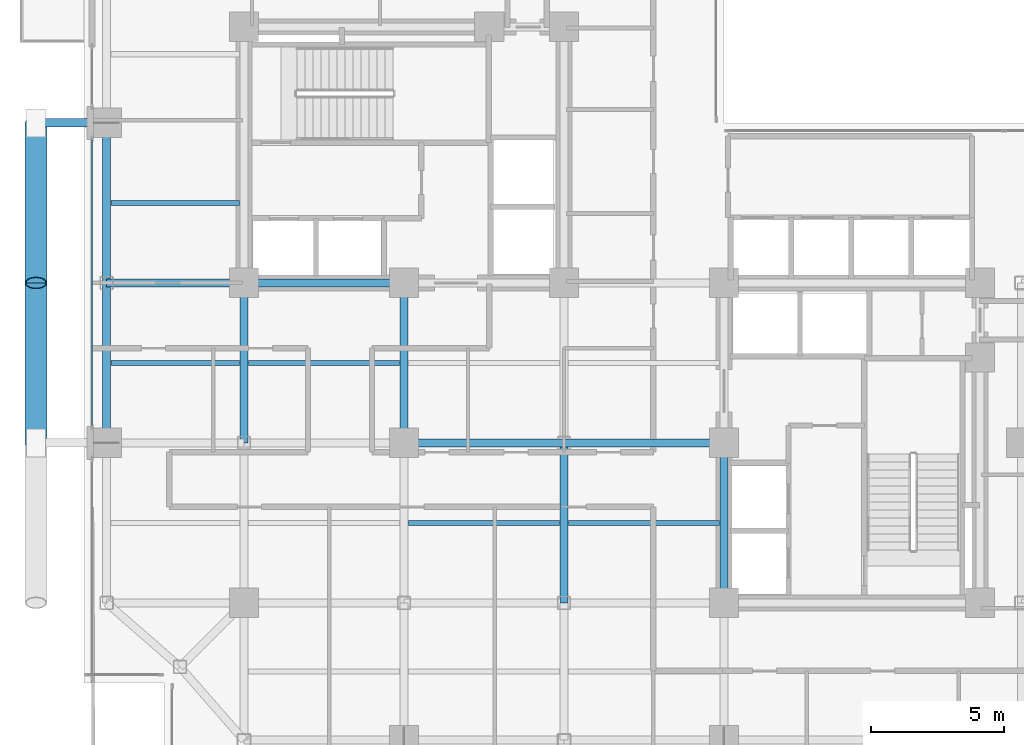
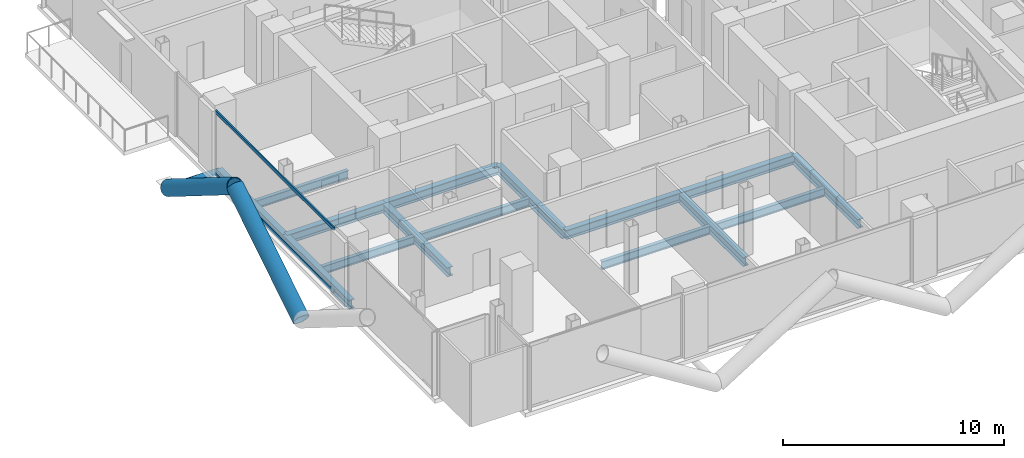
# One storey, part 6 of 28: 15 beams, 5 members, 1 element without a shape of its own.
"""IFC4 building model written with IfcOpenShell, lengths in metres."""

from ifc_helpers import new_model, si_unit, direction, frame, origin, origin_2d, place, context, subcontext, project, spatial, hollow_rectangle, hollow_circle, i_section, extrude, material, layer, layer_set, material_profile, profile_set, type_object, element, aggregate, save


model = new_model("IFC4")

# Units and contexts
model_context = context("Model", 3, precision=1e-05, world=origin(), true_north=direction((0.0, 1.0)))
body_context = subcontext(model_context, "Body", "Model", "MODEL_VIEW")
ifc_project = project(units=[si_unit("LENGTHUNIT", "METRE"), si_unit("AREAUNIT", "SQUARE_METRE"), si_unit("VOLUMEUNIT", "CUBIC_METRE"), si_unit("PLANEANGLEUNIT", "RADIAN"), si_unit("MASSUNIT", "GRAM", prefix="KILO"), si_unit("THERMODYNAMICTEMPERATUREUNIT", "KELVIN"), si_unit("POWERUNIT", "WATT")], contexts=[model_context])

# Site, building, storey
site_placement = place(None, origin())
site = spatial("IfcSite", under=ifc_project, at=site_placement, CompositionType="ELEMENT")
building_placement = place(site_placement, origin())
building = spatial("IfcBuilding", under=site, at=building_placement, Name="Svarakhadi Broadcast Tower", CompositionType="ELEMENT")
storey_placement = place(building_placement, frame((0.0, 0.0, 153.14990234375)))
storey = spatial("IfcBuildingStorey", under=building, at=storey_placement, Name="L37", CompositionType="ELEMENT", Elevation=153.14990234375)

# Beams
ifc_material_1 = material(Name="Steel S355J2 (IS 2062 E350C)", Category="steel")
ifc_material_profile_1 = material_profile(ifc_material_1, i_section(OverallWidth=0.18994140625, OverallDepth=0.449951171875, WebThickness=0.009521484375, FlangeThickness=0.0146484375, FilletRadius=0.02099609375, at=origin_2d()), Name="NPB 450x190x78")
ifc_profile_set_1 = profile_set([ifc_material_profile_1], Name="Steel S355J2 (IS 2062 E350C)")
beam_type_1 = type_object("IfcBeamType", Name="Beam_NPB450", PredefinedType="BEAM", material=ifc_profile_set_1)
for number, where, z_axis, x_axis, name in (
    (1, (1.010009765625, 15.0, -0.449951171875), (1.0, 0.0, 0.0), (0.0, 1.0, 0.0), "L37 Secondary Composite Beam SB002"),
    (2, (1.010009765625, 21.0, -0.449951171875), (1.0, 0.0, 0.0), (0.0, 1.0, 0.0), "L37 Secondary Composite Beam SB003"),
):
    element("IfcBeam", number, at=place(storey_placement, frame(where, z_axis=z_axis, x_axis=x_axis)), inside=storey, type_object=beam_type_1, Name=name, PredefinedType="BEAM", context=body_context, shape_type="SweptSolid", body=[
        extrude(i_section(OverallWidth=0.18994140625, OverallDepth=0.449951171875, WebThickness=0.009521484375, FlangeThickness=0.0146484375, FilletRadius=0.02099609375, at=origin_2d()), origin(), (0.0, 0.0, 1.0), 4.830078125),
    ])
for number, where, z_axis, x_axis, name in (
    (3, (6.159912109375, 15.0, -0.449951171875), (1.0, 0.0, 0.0), (0.0, 1.0, 0.0), "L37 Secondary Composite Beam SB008"),
    (4, (12.159912109375, 9.0, -0.449951171875), (1.0, 0.0, 0.0), (0.0, 1.0, 0.0), "L37 Secondary Composite Beam SB012"),
    (5, (18.159912109375, 9.0, -0.449951171875), (1.0, 0.0, 0.0), (0.0, 1.0, 0.0), "L37 Secondary Composite Beam SB017"),
):
    element("IfcBeam", number, at=place(storey_placement, frame(where, z_axis=z_axis, x_axis=x_axis)), inside=storey, type_object=beam_type_1, Name=name, PredefinedType="BEAM", context=body_context, shape_type="SweptSolid", body=[
        extrude(i_section(OverallWidth=0.18994140625, OverallDepth=0.449951171875, WebThickness=0.009521484375, FlangeThickness=0.0146484375, FilletRadius=0.02099609375, at=origin_2d()), origin(), (0.0, 0.0, 1.0), 5.68017578125),
    ])

# Curtain wall, members
ifc_material_2 = material(Name="Anodised Bronze Aluminium AA 6063-T6", Category="aluminium")
ifc_layer = layer(ifc_material_2, 0.199951171875)
ifc_layer_set = layer_set([ifc_layer], Name="Anodised Bronze Aluminium AA 6063-T6")
curtain_wall_type = type_object("IfcCurtainWallType", Name="CW_Sys_03", PredefinedType="NOTDEFINED", material=ifc_layer_set)
curtain_wall_placement = place(storey_placement, origin())
curtain_wall = element("IfcCurtainWall", 6, at=curtain_wall_placement, inside=storey, type_object=curtain_wall_type, Name="L37 West Curtain Wall 02 Bay 2", PredefinedType="NOTDEFINED")
ifc_material_profile_2 = material_profile(ifc_material_2, hollow_rectangle(XDim=0.070068359375, YDim=0.18505859375, WallThickness=0.0048828125, at=origin_2d()), Name="ALU TRANSOM 185x70x5")
ifc_profile_set_2 = profile_set([ifc_material_profile_2], Name="Anodised Bronze Aluminium AA 6063-T6")
member_type_1 = type_object("IfcMemberType", Name="CW_Sys_03_Trn", PredefinedType="USERDEFINED", material=ifc_profile_set_2)
member_1_placement = place(storey_placement, frame((0.300048828125, 12.64501953125, 0.03515625), z_axis=(0.0, 1.0, 0.0), x_axis=(-1.0, 0.0, 0.0)))
member_1 = element("IfcMember", 7, at=member_1_placement, type_object=member_type_1, Name="CW-03 transom 1.1", ObjectType="TRANSOM", PredefinedType="USERDEFINED", context=body_context, shape_type="SweptSolid", body=[
    extrude(hollow_rectangle(XDim=0.070068359375, YDim=0.18505859375, WallThickness=0.0048828125, at=origin_2d()), origin(), (0.0, 0.0, 1.0), 10.7099609375),
])
member_2_placement = place(storey_placement, frame((0.300048828125, 12.64501953125, 3.489990234375), z_axis=(0.0, 1.0, 0.0), x_axis=(-1.0, 0.0, 0.0)))
member_2 = element("IfcMember", 8, at=member_2_placement, type_object=member_type_1, Name="CW-03 transom 1.2", ObjectType="TRANSOM", PredefinedType="USERDEFINED", context=body_context, shape_type="SweptSolid", body=[
    extrude(hollow_rectangle(XDim=0.070068359375, YDim=0.18505859375, WallThickness=0.0048828125, at=origin_2d()), origin(), (0.0, 0.0, 1.0), 10.7099609375),
])
aggregate(curtain_wall, [member_1, member_2])

# Members
ifc_material_3 = material(Name="Steel S460ML (IS 2062 E450BR)", Category="steel")
ifc_material_profile_3 = material_profile(ifc_material_3, hollow_circle(Radius=0.406494140625, WallThickness=0.0400390625, at=origin_2d()), Name="CHS 813x40")
ifc_profile_set_3 = profile_set([ifc_material_profile_3], Name="Steel S460ML (IS 2062 E450BR)")
member_type_2 = type_object("IfcMemberType", Name="Exo_Brace_CHS813", PredefinedType="BRACE", material=ifc_profile_set_3)
for number, where, z_axis, x_axis, name in (
    (9, (-1.800048828125, 12.0, -0.386962890625), (0.0, 0.847998304005, 0.529998940003), (-1.0, 0.0, 0.0), "L37 Exposed Bronze Exoskeleton Diagonal W06"),
    (10, (-1.800048828125, 24.0, -0.386962890625), (0.0, -0.847998304005, 0.529998940003), (1.0, 0.0, 0.0), "L37 Exposed Bronze Exoskeleton Diagonal W07"),
):
    element("IfcMember", number, at=place(storey_placement, frame(where, z_axis=z_axis, x_axis=x_axis)), inside=storey, type_object=member_type_2, Name=name, PredefinedType="BRACE", context=body_context, shape_type="SweptSolid", body=[
        extrude(hollow_circle(Radius=0.406494140625, WallThickness=0.0400390625, at=origin_2d()), origin(), (0.0, 0.0, 1.0), 7.075439453125),
    ])
ifc_material_profile_4 = material_profile(ifc_material_3, hollow_circle(Radius=0.161865234375, WallThickness=0.01611328125, at=origin_2d()), Name="CHS 323.9x16")
ifc_profile_set_4 = profile_set([ifc_material_profile_4], Name="Steel S460ML (IS 2062 E450BR)")
member_type_3 = type_object("IfcMemberType", Name="Exo_Radial_Strut_Z2", PredefinedType="STRUT", material=ifc_profile_set_4)
member_3_placement = place(storey_placement, frame((-1.800048828125, 24.0, -0.386962890625), z_axis=(1.0, 0.0, 0.0), x_axis=(0.0, 1.0, 0.0)))
element("IfcMember", 11, at=member_3_placement, inside=storey, type_object=member_type_3, Name="L37 Exoskeleton Radial Tie Strut W04", PredefinedType="STRUT", context=body_context, shape_type="SweptSolid", body=[
    extrude(hollow_circle(Radius=0.161865234375, WallThickness=0.01611328125, at=origin_2d()), origin(), (0.0, 0.0, 1.0), 2.650146484375),
])

# Beams
ifc_material_profile_5 = material_profile(ifc_material_1, i_section(OverallWidth=0.300048828125, OverallDepth=0.5, WebThickness=0.014404296875, FlangeThickness=0.028076171875, FilletRadius=0.027099609375, at=origin_2d()), Name="WPB 500x300x187")
ifc_profile_set_5 = profile_set([ifc_material_profile_5], Name="Steel S355J2 (IS 2062 E350C)")
beam_type_2 = type_object("IfcBeamType", Name="Girder_WPB500", PredefinedType="USERDEFINED", material=ifc_profile_set_5)
for number, where, z_axis, x_axis, name in (
    (12, (12.0, 12.0, -0.474853515625), (1.0, 0.0, 0.0), (0.0, 1.0, 0.0), "L37 Primary E-W Girder G019"),
    (13, (18.0, 12.0, -0.474853515625), (1.0, 0.0, 0.0), (0.0, 1.0, 0.0), "L37 Primary E-W Girder G020"),
):
    element("IfcBeam", number, at=place(storey_placement, frame(where, z_axis=z_axis, x_axis=x_axis)), inside=storey, type_object=beam_type_2, Name=name, ObjectType="GIRDER", PredefinedType="USERDEFINED", context=body_context, shape_type="SweptSolid", body=[
        extrude(i_section(OverallWidth=0.300048828125, OverallDepth=0.5, WebThickness=0.014404296875, FlangeThickness=0.028076171875, FilletRadius=0.027099609375, at=origin_2d()), origin(), (0.0, 0.0, 1.0), 6.0),
    ])
beam_placement = place(storey_placement, frame((0.85009765625, 18.0, -0.474853515625), z_axis=(1.0, 0.0, 0.0), x_axis=(0.0, 1.0, 0.0)))
element("IfcBeam", 14, at=beam_placement, inside=storey, type_object=beam_type_2, Name="L37 Primary E-W Girder G023", ObjectType="GIRDER", PredefinedType="USERDEFINED", context=body_context, shape_type="SweptSolid", body=[
    extrude(i_section(OverallWidth=0.300048828125, OverallDepth=0.5, WebThickness=0.014404296875, FlangeThickness=0.028076171875, FilletRadius=0.027099609375, at=origin_2d()), origin(), (0.0, 0.0, 1.0), 5.14990234375),
])
for number, where, z_axis, x_axis, name in (
    (15, (6.0, 18.0, -0.474853515625), (1.0, 0.0, 0.0), (0.0, 1.0, 0.0), "L37 Primary E-W Girder G024"),
    (16, (0.85009765625, 12.0, -0.474853515625), (0.0, 1.0, 0.0), (-1.0, 0.0, 0.0), "L37 Primary N-S Girder G041"),
    (17, (0.85009765625, 18.0, -0.474853515625), (0.0, 1.0, 0.0), (-1.0, 0.0, 0.0), "L37 Primary N-S Girder G042"),
    (18, (6.0, 12.0, -0.474853515625), (0.0, 1.0, 0.0), (-1.0, 0.0, 0.0), "L37 Primary N-S Girder G047"),
    (19, (12.0, 12.0, -0.474853515625), (0.0, 1.0, 0.0), (-1.0, 0.0, 0.0), "L37 Primary N-S Girder G053"),
    (20, (18.0, 6.0, -0.474853515625), (0.0, 1.0, 0.0), (-1.0, 0.0, 0.0), "L37 Primary N-S Girder G057"),
    (21, (24.0, 6.0, -0.474853515625), (0.0, 1.0, 0.0), (-1.0, 0.0, 0.0), "L37 Primary N-S Girder G063"),
):
    element("IfcBeam", number, at=place(storey_placement, frame(where, z_axis=z_axis, x_axis=x_axis)), inside=storey, type_object=beam_type_2, Name=name, ObjectType="GIRDER", PredefinedType="USERDEFINED", context=body_context, shape_type="SweptSolid", body=[
        extrude(i_section(OverallWidth=0.300048828125, OverallDepth=0.5, WebThickness=0.014404296875, FlangeThickness=0.028076171875, FilletRadius=0.027099609375, at=origin_2d()), origin(), (0.0, 0.0, 1.0), 6.0),
    ])

save(model, "model.ifc")
